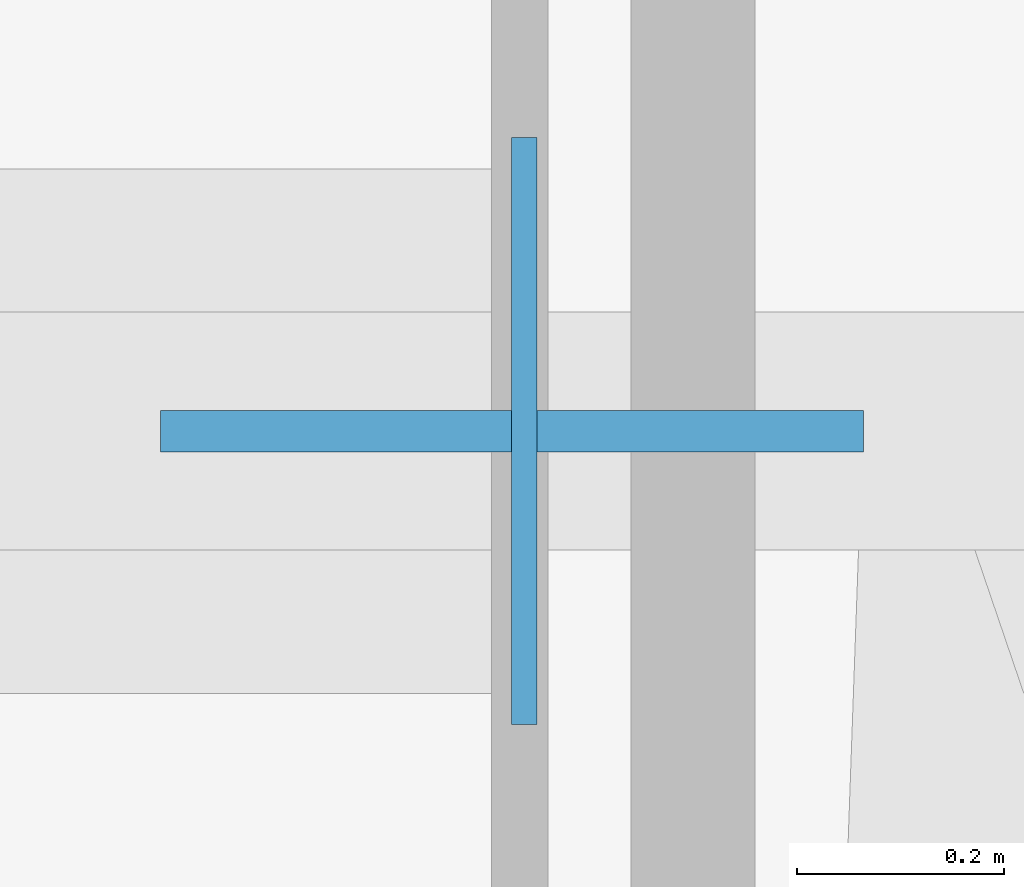
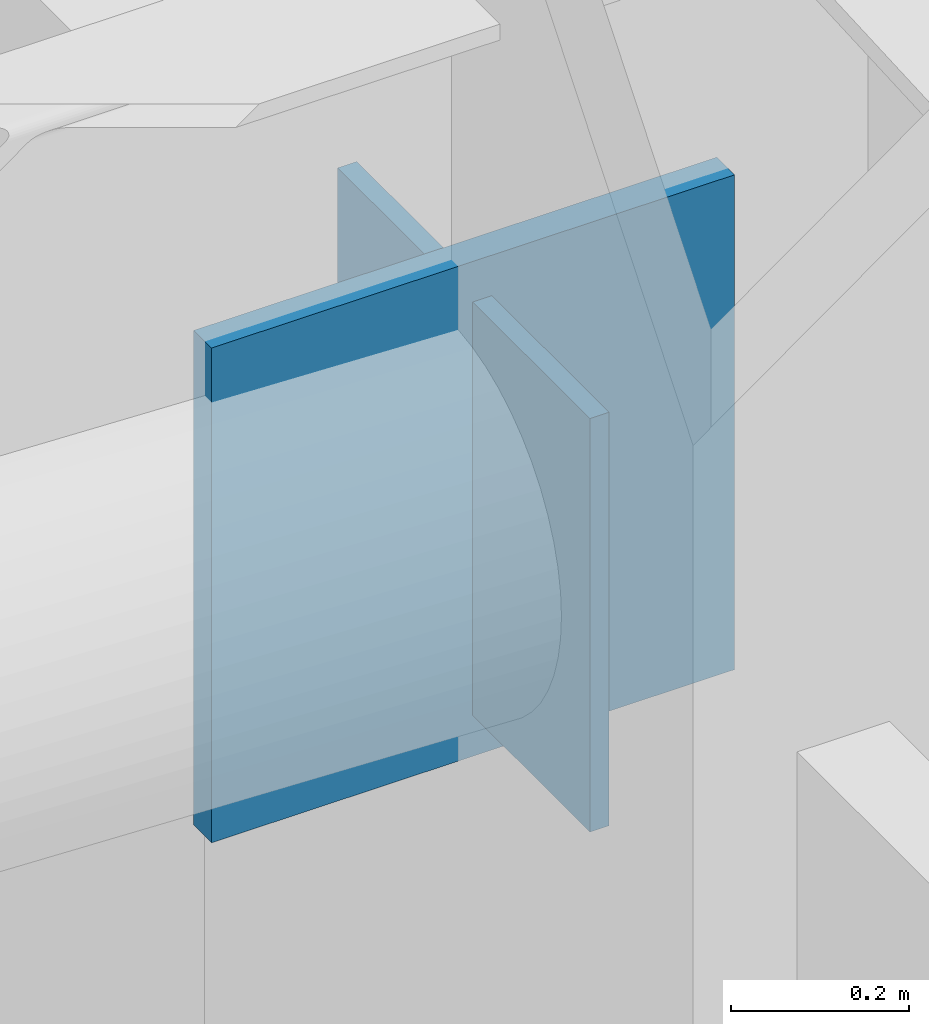
# One storey, part 10 of 18: 2 plates.
"""IFC4 building model written with IfcOpenShell, lengths in metres."""

from ifc_helpers import new_model, si_unit, direction, frame, origin, origin_2d, place, context, subcontext, project, spatial, rectangle, extrude, material, layer, layer_set, type_object, element, save


model = new_model("IFC4")

# Units and contexts
model_context = context("Model", 3, precision=1e-05, world=origin(), true_north=direction((0.0, 1.0)))
body_context = subcontext(model_context, "Body", "Model", "MODEL_VIEW")
ifc_project = project(units=[si_unit("LENGTHUNIT", "METRE"), si_unit("AREAUNIT", "SQUARE_METRE"), si_unit("VOLUMEUNIT", "CUBIC_METRE"), si_unit("PLANEANGLEUNIT", "RADIAN"), si_unit("MASSUNIT", "GRAM", prefix="KILO")], contexts=[model_context])

# Site, building, storey
site_placement = place(None, origin())
site = spatial("IfcSite", under=ifc_project, at=site_placement, CompositionType="ELEMENT")
building_placement = place(site_placement, origin())
building = spatial("IfcBuilding", under=site, at=building_placement, Name="Khamvora Tower", CompositionType="ELEMENT")
storey_placement = place(building_placement, frame((0.0, 0.0, 69.800048828125)))
storey = spatial("IfcBuildingStorey", under=building, at=storey_placement, Name="L17", CompositionType="ELEMENT", Elevation=69.800048828125)

# Plates
ifc_material_1 = material(Name="Steel S355", Category="steel")
ifc_layer_1 = layer(ifc_material_1, 0.02490234375)
ifc_layer_set_1 = layer_set([ifc_layer_1], Name="Steel S355")
plate_type_1 = type_object("IfcPlateType", Name="PL-CAP-25", PredefinedType="SHEET", material=ifc_layer_set_1)
plate_1_placement = place(storey_placement, frame((43.73193359375, 50.800048828125, 2.416015625), z_axis=(0.0, 0.0, 1.0), x_axis=(-1.0, 0.0, 0.0)))
element("IfcPlate", 1, at=plate_1_placement, inside=storey, type_object=plate_type_1, Name="L17 hollow section steel end cap plate 0598", PredefinedType="SHEET", context=body_context, shape_type="SweptSolid", body=[
    extrude(rectangle(XDim=0.02490234375, YDim=0.568115234375, at=origin_2d()), origin(), (0.0, 0.0, 1.0), 0.568115234375),
])
ifc_material_2 = material(Name="Steel S460", Category="steel")
ifc_layer_2 = layer(ifc_material_2, 0.0400390625)
ifc_layer_set_2 = layer_set([ifc_layer_2], Name="Steel S460")
plate_type_2 = type_object("IfcPlateType", Name="PLT-GUS-40", PredefinedType="SHEET", material=ifc_layer_set_2)
plate_2_placement = place(storey_placement, frame((43.719970703125, 50.800048828125, 2.35986328125), z_axis=(0.0, 0.0, 1.0), x_axis=(1.0, 0.0, 0.0)))
element("IfcPlate", 2, at=plate_2_placement, inside=storey, type_object=plate_type_2, Name="L17 brace connection node gusset plate 0115", PredefinedType="SHEET", context=body_context, shape_type="SweptSolid", body=[
    extrude(rectangle(XDim=0.679931640625, YDim=0.0400390625, at=origin_2d()), origin(), (0.0, 0.0, 1.0), 0.679931640625),
])

save(model, "model.ifc")
